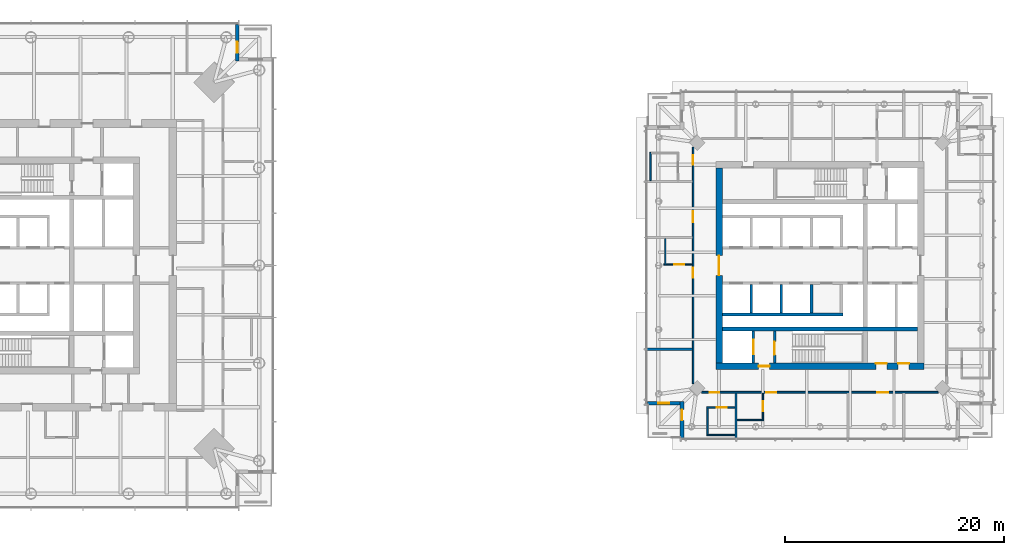
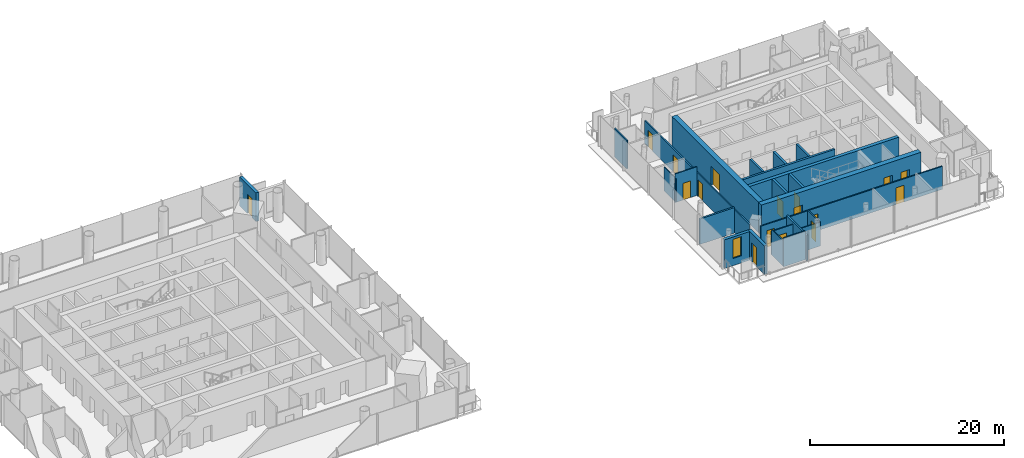
# One storey, part 12 of 19: 24 walls, 17 doors, 1 window, 18 openings.
"""IFC4 building model written with IfcOpenShell, lengths in metres."""

from ifc_helpers import new_model, si_unit, direction, frame, frame_2d, origin, place, context, subcontext, project, spatial, rectangle, extrude, material, layer, layer_set, type_object, element, fill, save


model = new_model("IFC4")

# Units and contexts
model_context = context("Model", 3, precision=1e-05, world=origin(), true_north=direction((0.0, 1.0)))
body_context = subcontext(model_context, "Body", "Model", "MODEL_VIEW")
ifc_project = project(units=[si_unit("LENGTHUNIT", "METRE"), si_unit("AREAUNIT", "SQUARE_METRE"), si_unit("VOLUMEUNIT", "CUBIC_METRE"), si_unit("PLANEANGLEUNIT", "RADIAN"), si_unit("MASSUNIT", "GRAM", prefix="KILO")], contexts=[model_context])

# Site, building, storey
site_placement = place(None, origin())
site = spatial("IfcSite", under=ifc_project, at=site_placement, CompositionType="ELEMENT")
building_placement = place(site_placement, origin())
building = spatial("IfcBuilding", under=site, at=building_placement, Name="Ostroluk Exchange", CompositionType="ELEMENT")
storey_placement = place(building_placement, frame((0.0, 0.0, 119.800048828125)))
storey = spatial("IfcBuildingStorey", under=building, at=storey_placement, Name="L30", CompositionType="ELEMENT", Elevation=119.800048828125)

# Wall
ifc_material_1 = material(Name="Concrete C50/60", Category="concrete")
ifc_layer_1 = layer(ifc_material_1, 0.39990234375)
ifc_layer_set_1 = layer_set([ifc_layer_1], Name="Core cross wall 400 C50/60")
wall_type_1 = type_object("IfcWallType", Name="Core cross wall 400 C50/60", PredefinedType="SHEAR", material=ifc_layer_set_1)
wall_1_placement = place(storey_placement, frame((108.10009765625, 40.199951171875, 0.0), z_axis=(0.0, 0.0, 1.0), x_axis=(1.0, 0.0, 0.0)))
element("IfcWall", 1, at=wall_1_placement, inside=storey, type_object=wall_type_1, Name="T2 core wall XS", PredefinedType="SHEAR", context=body_context, shape_type="SweptSolid", body=[
    extrude(rectangle(XDim=17.7998046875, YDim=0.39990234375, at=frame_2d((8.89990234375, 0.0))), origin(), (0.0, 0.0, 1.0), 3.800048828125),
])

# Wall, opening, door
ifc_material_2 = material(Name="Concrete C40/50", Category="concrete")
ifc_layer_2 = layer(ifc_material_2, 0.25)
ifc_layer_set_2 = layer_set([ifc_layer_2], Name="Core shaft wall 250")
wall_type_2 = type_object("IfcWallType", Name="Core shaft wall 250", PredefinedType="SHEAR", material=ifc_layer_set_2)
wall_2_placement = place(storey_placement, frame((110.925048828125, 37.10009765625, 0.0), z_axis=(0.0, 0.0, 1.0), x_axis=(0.0, 1.0, 0.0)))
wall_2 = element("IfcWall", 2, at=wall_2_placement, inside=storey, type_object=wall_type_2, Name="Firefighting lift shaft wall", PredefinedType="SHEAR", context=body_context, shape_type="SweptSolid", body=[
    extrude(rectangle(XDim=2.89990234375, YDim=0.25, at=frame_2d((1.449951171875, 0.0))), origin(), (0.0, 0.0, 1.0), 3.800048828125),
])
opening_1_placement = place(wall_2_placement, frame((0.800048828125, 0.0, 0.0)))
opening_1 = element("IfcOpeningElement", 3, at=opening_1_placement, cuts=wall_2, Name="Opening LD2", PredefinedType="OPENING", context=body_context, shape_type="SweptSolid", body=[
    extrude(rectangle(XDim=1.300048828125, YDim=2.199951171875, at=frame_2d((0.64990234375, 1.10009765625))), frame((0.0, 0.135009765625, 0.0), z_axis=(0.0, -1.0, 0.0), x_axis=(1.0, 0.0, 0.0)), (0.0, 0.0, 1.0), 0.27001953125),
])
ifc_material_3 = material(Name="Stainless steel", Category="steel")
door_type_1 = type_object("IfcDoorType", Name="Lift landing door E 60 1300 x 2200", OperationType="DOUBLE_DOOR_SLIDING", PredefinedType="DOOR", material=ifc_material_3)
door_1_placement = place(opening_1_placement, origin())
door_1 = element("IfcDoor", 4, at=door_1_placement, inside=storey, type_object=door_type_1, Name="Lift HF1 landing door", OperationType="DOUBLE_DOOR_SLIDING", OverallHeight=2.199951171875, OverallWidth=1.300048828125, PredefinedType="DOOR", context=body_context, shape_type="SweptSolid", body=[
    extrude(rectangle(XDim=1.300048828125, YDim=2.199951171875, at=frame_2d((0.64990234375, 1.10009765625))), frame((0.0, 0.02490234375, 0.0), z_axis=(0.0, -1.0, 0.0), x_axis=(1.0, 0.0, 0.0)), (0.0, 0.0, 1.0), 0.050048828125),
])
fill(opening_1, door_1)

wall_3_placement = place(storey_placement, frame((112.875, 37.10009765625, 0.0), z_axis=(0.0, 0.0, 1.0), x_axis=(0.0, 1.0, 0.0)))
wall_3 = element("IfcWall", 5, at=wall_3_placement, inside=storey, type_object=wall_type_2, Name="Stair shaft wall", PredefinedType="SHEAR", context=body_context, shape_type="SweptSolid", body=[
    extrude(rectangle(XDim=2.89990234375, YDim=0.25, at=frame_2d((1.449951171875, 0.0))), origin(), (0.0, 0.0, 1.0), 3.800048828125),
])
opening_2_placement = place(wall_3_placement, frame((0.75, 0.0, 0.0)))
opening_2 = element("IfcOpeningElement", 6, at=opening_2_placement, cuts=wall_3, Name="Opening FD60S", PredefinedType="OPENING", context=body_context, shape_type="SweptSolid", body=[
    extrude(rectangle(XDim=1.199951171875, YDim=2.10009765625, at=frame_2d((0.60009765625, 1.050048828125))), frame((0.0, 0.135009765625, 0.0), z_axis=(0.0, -1.0, 0.0), x_axis=(1.0, 0.0, 0.0)), (0.0, 0.0, 1.0), 0.27001953125),
])
ifc_material_4 = material(Name="Steel", Category="steel")
door_type_2 = type_object("IfcDoorType", Name="Stair door EI 60 1200 x 2100", OperationType="SINGLE_SWING_LEFT", PredefinedType="DOOR", material=ifc_material_4)
door_2_placement = place(opening_2_placement, origin())
door_2 = element("IfcDoor", 7, at=door_2_placement, inside=storey, type_object=door_type_2, Name="Stair T2-S1 door", OperationType="SINGLE_SWING_LEFT", OverallHeight=2.10009765625, OverallWidth=1.199951171875, PredefinedType="DOOR", context=body_context, shape_type="SweptSolid", body=[
    extrude(rectangle(XDim=1.199951171875, YDim=2.10009765625, at=frame_2d((0.60009765625, 1.050048828125))), frame((0.0, 0.02490234375, 0.0), z_axis=(0.0, -1.0, 0.0), x_axis=(1.0, 0.0, 0.0)), (0.0, 0.0, 1.0), 0.050048828125),
])
fill(opening_2, door_2)

# Walls
for number, where, z_axis, x_axis, name in (
    (8, (110.72509765625, 44.25, 0.0), (0.0, 0.0, 1.0), (0.0, -1.0, 0.0), "Lift shaft wall"),
    (9, (113.47509765625, 44.25, 0.0), (0.0, 0.0, 1.0), (0.0, -1.0, 0.0), "Lift shaft wall"),
    (10, (116.22509765625, 44.25, 0.0), (0.0, 0.0, 1.0), (0.0, -1.0, 0.0), "Lift shaft wall"),
):
    element("IfcWall", number, at=place(storey_placement, frame(where, z_axis=z_axis, x_axis=x_axis)), inside=storey, type_object=wall_type_2, Name=name, PredefinedType="SHEAR", context=body_context, shape_type="SweptSolid", body=[
        extrude(rectangle(XDim=2.60009765625, YDim=0.25, at=frame_2d((1.300048828125, 0.0))), origin(), (0.0, 0.0, 1.0), 3.800048828125),
    ])
wall_4_placement = place(storey_placement, frame((108.10009765625, 41.52490234375, 0.0), z_axis=(0.0, 0.0, 1.0), x_axis=(1.0, 0.0, 0.0)))
element("IfcWall", 11, at=wall_4_placement, inside=storey, type_object=wall_type_2, Name="Lift shaft wall", PredefinedType="SHEAR", context=body_context, shape_type="SweptSolid", body=[
    extrude(rectangle(XDim=11.0, YDim=0.25, at=frame_2d((5.5, 0.0))), origin(), (0.0, 0.0, 1.0), 3.800048828125),
])

# Wall, openings, doors
ifc_material_5 = material(Name="Concrete C50/60", Category="concrete")
ifc_layer_3 = layer(ifc_material_5, 0.60009765625)
ifc_layer_set_3 = layer_set([ifc_layer_3], Name="Core wall 600 C50/60")
wall_type_3 = type_object("IfcWallType", Name="Core wall 600 C50/60", PredefinedType="SHEAR", material=ifc_layer_set_3)
wall_5_placement = place(storey_placement, frame((107.5, 36.800048828125, 0.0), z_axis=(0.0, 0.0, 1.0), x_axis=(1.0, 0.0, 0.0)))
wall_5 = element("IfcWall", 12, at=wall_5_placement, inside=storey, type_object=wall_type_3, Name="T2 core wall S", PredefinedType="SHEAR", context=body_context, shape_type="SweptSolid", body=[
    extrude(rectangle(XDim=19.0, YDim=0.60009765625, at=frame_2d((9.5, 0.0))), origin(), (0.0, 0.0, 1.0), 3.800048828125),
])
opening_3_placement = place(wall_5_placement, frame((3.89990234375, 0.0, 0.0)))
opening_3 = element("IfcOpeningElement", 13, at=opening_3_placement, cuts=wall_5, Name="Opening FD60", PredefinedType="OPENING", context=body_context, shape_type="SweptSolid", body=[
    extrude(rectangle(XDim=1.0, YDim=2.10009765625, at=frame_2d((0.5, 1.050048828125))), frame((0.0, 0.31005859375, 0.0), z_axis=(0.0, -1.0, 0.0), x_axis=(1.0, 0.0, 0.0)), (0.0, 0.0, 1.0), 0.6201171875),
])
opening_4_placement = place(wall_5_placement, frame((14.609619140625, 0.0, 0.0)))
opening_4 = element("IfcOpeningElement", 14, at=opening_4_placement, cuts=wall_5, Name="Opening FD60", PredefinedType="OPENING", context=body_context, shape_type="SweptSolid", body=[
    extrude(rectangle(XDim=1.0, YDim=2.10009765625, at=frame_2d((0.5, 1.050048828125))), frame((0.0, 0.31005859375, 0.0), z_axis=(0.0, -1.0, 0.0), x_axis=(1.0, 0.0, 0.0)), (0.0, 0.0, 1.0), 0.6201171875),
])
opening_5_placement = place(wall_5_placement, frame((16.63916015625, 0.0, 0.0)))
opening_5 = element("IfcOpeningElement", 15, at=opening_5_placement, cuts=wall_5, Name="Opening FD60", PredefinedType="OPENING", context=body_context, shape_type="SweptSolid", body=[
    extrude(rectangle(XDim=1.0, YDim=2.10009765625, at=frame_2d((0.5, 1.050048828125))), frame((0.0, 0.31005859375, 0.0), z_axis=(0.0, -1.0, 0.0), x_axis=(1.0, 0.0, 0.0)), (0.0, 0.0, 1.0), 0.6201171875),
])
ifc_material_6 = material(Name="Steel", Category="steel")
door_type_3 = type_object("IfcDoorType", Name="Fire door EI 60 1000 x 2100", OperationType="SINGLE_SWING_LEFT", PredefinedType="DOOR", material=ifc_material_6)
door_3_placement = place(opening_3_placement, origin())
door_3 = element("IfcDoor", 16, at=door_3_placement, inside=storey, type_object=door_type_3, Name="Firefighting lobby door", OperationType="SINGLE_SWING_LEFT", OverallHeight=2.10009765625, OverallWidth=1.0, PredefinedType="DOOR", context=body_context, shape_type="SweptSolid", body=[
    extrude(rectangle(XDim=1.0, YDim=2.10009765625, at=frame_2d((0.5, 1.050048828125))), frame((0.0, 0.02490234375, 0.0), z_axis=(0.0, -1.0, 0.0), x_axis=(1.0, 0.0, 0.0)), (0.0, 0.0, 1.0), 0.050048828125),
])
fill(opening_3, door_3)
door_4_placement = place(opening_4_placement, origin())
door_4 = element("IfcDoor", 17, at=door_4_placement, inside=storey, type_object=door_type_3, Name="Guest pantry door", OperationType="SINGLE_SWING_RIGHT", OverallHeight=2.10009765625, OverallWidth=1.0, PredefinedType="DOOR", context=body_context, shape_type="SweptSolid", body=[
    extrude(rectangle(XDim=1.0, YDim=2.10009765625, at=frame_2d((0.5, 1.050048828125))), frame((0.0, 0.2900390625, 0.0), z_axis=(0.0, -1.0, 0.0), x_axis=(1.0, 0.0, 0.0)), (0.0, 0.0, 1.0), 0.050048828125),
])
fill(opening_4, door_4)
door_5_placement = place(opening_5_placement, origin())
door_5 = element("IfcDoor", 18, at=door_5_placement, inside=storey, type_object=door_type_3, Name="Luggage store door", OperationType="SINGLE_SWING_RIGHT", OverallHeight=2.10009765625, OverallWidth=1.0, PredefinedType="DOOR", context=body_context, shape_type="SweptSolid", body=[
    extrude(rectangle(XDim=1.0, YDim=2.10009765625, at=frame_2d((0.5, 1.050048828125))), frame((0.0, 0.2900390625, 0.0), z_axis=(0.0, -1.0, 0.0), x_axis=(1.0, 0.0, 0.0)), (0.0, 0.0, 1.0), 0.050048828125),
])
fill(opening_5, door_5)

# Wall, opening, door
wall_6_placement = place(storey_placement, frame((107.800048828125, 37.10009765625, 0.0), z_axis=(0.0, 0.0, 1.0), x_axis=(0.0, 1.0, 0.0)))
wall_6 = element("IfcWall", 19, at=wall_6_placement, inside=storey, type_object=wall_type_3, Name="T2 core wall W", PredefinedType="SHEAR", context=body_context, shape_type="SweptSolid", body=[
    extrude(rectangle(XDim=17.7998046875, YDim=0.60009765625, at=frame_2d((8.89990234375, 0.0))), origin(), (0.0, 0.0, 1.0), 3.800048828125),
])
opening_6_placement = place(wall_6_placement, frame((8.0, 0.0, 0.0)))
opening_6 = element("IfcOpeningElement", 20, at=opening_6_placement, cuts=wall_6, Name="Opening FD30D", PredefinedType="OPENING", context=body_context, shape_type="SweptSolid", body=[
    extrude(rectangle(XDim=1.800048828125, YDim=2.39990234375, at=frame_2d((0.89990234375, 1.199951171875))), frame((0.0, 0.31005859375, 0.0), z_axis=(0.0, -1.0, 0.0), x_axis=(1.0, 0.0, 0.0)), (0.0, 0.0, 1.0), 0.6201171875),
])
ifc_material_7 = material(Name="Timber", Category="wood")
door_type_4 = type_object("IfcDoorType", Name="Lobby double door EI 30 1800 x 2400", OperationType="DOUBLE_DOOR_SINGLE_SWING", PredefinedType="DOOR", material=ifc_material_7)
door_6_placement = place(opening_6_placement, origin())
door_6 = element("IfcDoor", 21, at=door_6_placement, inside=storey, type_object=door_type_4, Name="Lift lobby doors", OperationType="DOUBLE_DOOR_SINGLE_SWING", OverallHeight=2.39990234375, OverallWidth=1.800048828125, PredefinedType="DOOR", context=body_context, shape_type="SweptSolid", body=[
    extrude(rectangle(XDim=1.800048828125, YDim=2.39990234375, at=frame_2d((0.89990234375, 1.199951171875))), frame((0.0, 0.02490234375, 0.0), z_axis=(0.0, -1.0, 0.0), x_axis=(1.0, 0.0, 0.0)), (0.0, 0.0, 1.0), 0.050048828125),
])
fill(opening_6, door_6)

ifc_material_8 = material(Name="Limestone", Category="masonry")
ifc_layer_4 = layer(ifc_material_8, 0.35009765625)
ifc_layer_set_4 = layer_set([ifc_layer_4], Name="Limestone facade wall 350")
wall_type_4 = type_object("IfcWallType", Name="Limestone facade wall 350", PredefinedType="SOLIDWALL", material=ifc_layer_set_4)
wall_7_placement = place(storey_placement, frame((63.824951171875, 68.0, 0.0), z_axis=(0.0, 0.0, 1.0), x_axis=(0.0, -1.0, 0.0)))
wall_7 = element("IfcWall", 22, at=wall_7_placement, inside=storey, type_object=wall_type_4, Name="Office tower NE corner wall L30 a", PredefinedType="SOLIDWALL", context=body_context, shape_type="SweptSolid", body=[
    extrude(rectangle(XDim=3.35009765625, YDim=0.35009765625, at=frame_2d((1.675048828125, 0.0))), origin(), (0.0, 0.0, 1.0), 3.619873046875),
])
opening_7_placement = place(wall_7_placement, frame((1.60009765625, 0.0, 0.0)))
opening_7 = element("IfcOpeningElement", 23, at=opening_7_placement, cuts=wall_7, Name="Opening D-B1", PredefinedType="OPENING", context=body_context, shape_type="SweptSolid", body=[
    extrude(rectangle(XDim=1.0, YDim=2.39990234375, at=frame_2d((0.5, 1.199951171875))), frame((0.0, 0.18505859375, 0.0), z_axis=(0.0, -1.0, 0.0), x_axis=(1.0, 0.0, 0.0)), (0.0, 0.0, 1.0), 0.3701171875),
])
ifc_material_9 = material(Name="Bronze framed glazed door", Category="aluminium")
door_type_5 = type_object("IfcDoorType", Name="Balcony door 1000 x 2400", OperationType="SINGLE_SWING_LEFT", PredefinedType="DOOR", material=ifc_material_9)
door_7_placement = place(opening_7_placement, origin())
door_7 = element("IfcDoor", 24, at=door_7_placement, inside=storey, type_object=door_type_5, Name="Office tower NE balcony door L30", OperationType="SINGLE_SWING_RIGHT", OverallHeight=2.39990234375, OverallWidth=1.0, PredefinedType="DOOR", context=body_context, shape_type="SweptSolid", body=[
    extrude(rectangle(XDim=1.0, YDim=2.39990234375, at=frame_2d((0.5, 1.199951171875))), frame((0.0, 0.02490234375, 0.0), z_axis=(0.0, -1.0, 0.0), x_axis=(1.0, 0.0, 0.0)), (0.0, 0.0, 1.0), 0.050048828125),
])
fill(opening_7, door_7)

wall_8_placement = place(storey_placement, frame((104.425048828125, 30.25, 0.0), z_axis=(0.0, 0.0, 1.0), x_axis=(0.0, 1.0, 0.0)))
wall_8 = element("IfcWall", 25, at=wall_8_placement, inside=storey, type_object=wall_type_4, Name="Hotel tower SW corner wall L30 a", PredefinedType="SOLIDWALL", context=body_context, shape_type="SweptSolid", body=[
    extrude(rectangle(XDim=3.35009765625, YDim=0.35009765625, at=frame_2d((1.675048828125, 0.0))), origin(), (0.0, 0.0, 1.0), 3.599853515625),
])
opening_8_placement = place(wall_8_placement, frame((1.60009765625, 0.0, 0.0)))
opening_8 = element("IfcOpeningElement", 26, at=opening_8_placement, cuts=wall_8, Name="Opening D-B1", PredefinedType="OPENING", context=body_context, shape_type="SweptSolid", body=[
    extrude(rectangle(XDim=1.0, YDim=2.39990234375, at=frame_2d((0.5, 1.199951171875))), frame((0.0, 0.18505859375, 0.0), z_axis=(0.0, -1.0, 0.0), x_axis=(1.0, 0.0, 0.0)), (0.0, 0.0, 1.0), 0.3701171875),
])
door_8_placement = place(opening_8_placement, origin())
door_8 = element("IfcDoor", 27, at=door_8_placement, inside=storey, type_object=door_type_5, Name="Hotel tower SW balcony door L30", OperationType="SINGLE_SWING_RIGHT", OverallHeight=2.39990234375, OverallWidth=1.0, PredefinedType="DOOR", context=body_context, shape_type="SweptSolid", body=[
    extrude(rectangle(XDim=1.0, YDim=2.39990234375, at=frame_2d((0.5, 1.199951171875))), frame((0.0, 0.02490234375, 0.0), z_axis=(0.0, -1.0, 0.0), x_axis=(1.0, 0.0, 0.0)), (0.0, 0.0, 1.0), 0.050048828125),
])
fill(opening_8, door_8)

# Wall, opening, window
wall_9_placement = place(storey_placement, frame((104.25, 33.425048828125, 0.0), z_axis=(0.0, 0.0, 1.0), x_axis=(-1.0, 0.0, 0.0)))
wall_9 = element("IfcWall", 28, at=wall_9_placement, inside=storey, type_object=wall_type_4, Name="Hotel tower SW corner wall L30 b", PredefinedType="SOLIDWALL", context=body_context, shape_type="SweptSolid", body=[
    extrude(rectangle(XDim=3.0, YDim=0.35009765625, at=frame_2d((1.5, 0.0))), origin(), (0.0, 0.0, 1.0), 3.599853515625),
])
opening_9_placement = place(wall_9_placement, frame((1.0, 0.0, 0.89990234375)))
opening_9 = element("IfcOpeningElement", 29, at=opening_9_placement, cuts=wall_9, Name="Opening WN-L3", PredefinedType="OPENING", context=body_context, shape_type="SweptSolid", body=[
    extrude(rectangle(XDim=1.0, YDim=2.39990234375, at=frame_2d((0.5, 1.199951171875))), frame((0.0, 0.18505859375, 0.0), z_axis=(0.0, -1.0, 0.0), x_axis=(1.0, 0.0, 0.0)), (0.0, 0.0, 1.0), 0.3701171875),
])
ifc_material_10 = material(Name="Laminated clear glass", Category="glass")
window_type = type_object("IfcWindowType", Name="Hotel lancet window 1000 x 2400", PartitioningType="SINGLE_PANEL", PredefinedType="WINDOW", material=ifc_material_10)
window_placement = place(opening_9_placement, origin())
window = element("IfcWindow", 30, at=window_placement, inside=storey, type_object=window_type, Name="Hotel tower SW lancet window L30", OverallHeight=2.39990234375, OverallWidth=1.0, PartitioningType="SINGLE_PANEL", PredefinedType="WINDOW", context=body_context, shape_type="SweptSolid", body=[
    extrude(rectangle(XDim=1.0, YDim=2.39990234375, at=frame_2d((0.5, 1.199951171875))), frame((0.0, 0.030029296875, 0.0), z_axis=(0.0, -1.0, 0.0), x_axis=(1.0, 0.0, 0.0)), (0.0, 0.0, 1.0), 0.06005859375),
])
fill(opening_9, window)

# Walls
ifc_material_11 = material(Name="Gypsum plasterboard partition, moisture resistant", Category="gypsum")
ifc_layer_5 = layer(ifc_material_11, 0.1201171875)
ifc_layer_set_5 = layer_set([ifc_layer_5], Name="Plasterboard en-suite wall 120")
wall_type_5 = type_object("IfcWallType", Name="Plasterboard en-suite wall 120", PredefinedType="PARTITIONING", material=ifc_layer_set_5)
wall_10_placement = place(storey_placement, frame((101.530029296875, 53.75, 0.0), z_axis=(0.0, 0.0, 1.0), x_axis=(0.0, 1.0, 0.0)))
element("IfcWall", 31, at=wall_10_placement, inside=storey, type_object=wall_type_5, Name="En-suite wall", PredefinedType="PARTITIONING", context=body_context, shape_type="SweptSolid", body=[
    extrude(rectangle(XDim=2.580078125, YDim=0.1201171875, at=frame_2d((1.2900390625, 0.0))), origin(), (0.0, 0.0, 1.0), 3.599853515625),
])
wall_11_placement = place(storey_placement, frame((102.889892578125, 48.449951171875, 0.0), z_axis=(0.0, 0.0, 1.0), x_axis=(0.0, -1.0, 0.0)))
element("IfcWall", 32, at=wall_11_placement, inside=storey, type_object=wall_type_5, Name="En-suite wall", PredefinedType="PARTITIONING", context=body_context, shape_type="SweptSolid", body=[
    extrude(rectangle(XDim=2.419921875, YDim=0.1201171875, at=frame_2d((1.2099609375, 0.0))), origin(), (0.0, 0.0, 1.0), 3.0),
])

# Wall, opening, door
wall_12_placement = place(storey_placement, frame((105.35009765625, 46.090087890625, 0.0), z_axis=(0.0, 0.0, 1.0), x_axis=(-1.0, 0.0, 0.0)))
wall_12 = element("IfcWall", 33, at=wall_12_placement, inside=storey, type_object=wall_type_5, Name="En-suite wall", PredefinedType="PARTITIONING", context=body_context, shape_type="SweptSolid", body=[
    extrude(rectangle(XDim=2.60009765625, YDim=0.1201171875, at=frame_2d((1.300048828125, 0.0))), origin(), (0.0, 0.0, 1.0), 3.599853515625),
])
opening_10_placement = place(wall_12_placement, frame((0.75, 0.0, 0.0)))
opening_10 = element("IfcOpeningElement", 34, at=opening_10_placement, cuts=wall_12, Name="Opening D-02", PredefinedType="OPENING", context=body_context, shape_type="SweptSolid", body=[
    extrude(rectangle(XDim=0.89990234375, YDim=2.10009765625, at=frame_2d((0.449951171875, 1.050048828125))), frame((0.0, 0.070068359375, 0.0), z_axis=(0.0, -1.0, 0.0), x_axis=(1.0, 0.0, 0.0)), (0.0, 0.0, 1.0), 0.14013671875),
])
ifc_material_12 = material(Name="Timber", Category="wood")
door_type_6 = type_object("IfcDoorType", Name="En-suite door 900 x 2100", OperationType="SINGLE_SWING_LEFT", PredefinedType="DOOR", material=ifc_material_12)
door_9_placement = place(opening_10_placement, origin())
door_9 = element("IfcDoor", 35, at=door_9_placement, inside=storey, type_object=door_type_6, Name="En-suite door 3004", OperationType="SINGLE_SWING_LEFT", OverallHeight=2.10009765625, OverallWidth=0.89990234375, PredefinedType="DOOR", context=body_context, shape_type="SweptSolid", body=[
    extrude(rectangle(XDim=0.89990234375, YDim=2.10009765625, at=frame_2d((0.449951171875, 1.050048828125))), frame((0.0, 0.02490234375, 0.0), z_axis=(0.0, -1.0, 0.0), x_axis=(1.0, 0.0, 0.0)), (0.0, 0.0, 1.0), 0.050048828125),
])
fill(opening_10, door_9)

wall_13_placement = place(storey_placement, frame((109.25, 33.050048828125, 0.0), z_axis=(0.0, 0.0, 1.0), x_axis=(-1.0, 0.0, 0.0)))
wall_13 = element("IfcWall", 36, at=wall_13_placement, inside=storey, type_object=wall_type_5, Name="En-suite wall", PredefinedType="PARTITIONING", context=body_context, shape_type="SweptSolid", body=[
    extrude(rectangle(XDim=2.580078125, YDim=0.1201171875, at=frame_2d((1.2900390625, 0.0))), origin(), (0.0, 0.0, 1.0), 2.89990234375),
])
opening_11_placement = place(wall_13_placement, frame((0.75, 0.0, 0.0)))
opening_11 = element("IfcOpeningElement", 37, at=opening_11_placement, cuts=wall_13, Name="Opening D-02", PredefinedType="OPENING", context=body_context, shape_type="SweptSolid", body=[
    extrude(rectangle(XDim=0.89990234375, YDim=2.10009765625, at=frame_2d((0.449951171875, 1.050048828125))), frame((0.0, 0.070068359375, 0.0), z_axis=(0.0, -1.0, 0.0), x_axis=(1.0, 0.0, 0.0)), (0.0, 0.0, 1.0), 0.14013671875),
])
door_10_placement = place(opening_11_placement, origin())
door_10 = element("IfcDoor", 38, at=door_10_placement, inside=storey, type_object=door_type_6, Name="En-suite door 3005", OperationType="SINGLE_SWING_LEFT", OverallHeight=2.10009765625, OverallWidth=0.89990234375, PredefinedType="DOOR", context=body_context, shape_type="SweptSolid", body=[
    extrude(rectangle(XDim=0.89990234375, YDim=2.10009765625, at=frame_2d((0.449951171875, 1.050048828125))), frame((0.0, 0.02490234375, 0.0), z_axis=(0.0, -1.0, 0.0), x_axis=(1.0, 0.0, 0.0)), (0.0, 0.0, 1.0), 0.050048828125),
])
fill(opening_11, door_10)

# Walls
wall_14_placement = place(storey_placement, frame((109.25, 30.530029296875, 0.0), z_axis=(0.0, 0.0, 1.0), x_axis=(-1.0, 0.0, 0.0)))
element("IfcWall", 39, at=wall_14_placement, inside=storey, type_object=wall_type_5, Name="En-suite wall", PredefinedType="PARTITIONING", context=body_context, shape_type="SweptSolid", body=[
    extrude(rectangle(XDim=2.580078125, YDim=0.1201171875, at=frame_2d((1.2900390625, 0.0))), origin(), (0.0, 0.0, 1.0), 3.599853515625),
])
wall_15_placement = place(storey_placement, frame((106.72998046875, 32.989990234375, 0.0), z_axis=(0.0, 0.0, 1.0), x_axis=(0.0, -1.0, 0.0)))
element("IfcWall", 40, at=wall_15_placement, inside=storey, type_object=wall_type_5, Name="En-suite wall", PredefinedType="PARTITIONING", context=body_context, shape_type="SweptSolid", body=[
    extrude(rectangle(XDim=2.39990234375, YDim=0.1201171875, at=frame_2d((1.199951171875, 0.0))), origin(), (0.0, 0.0, 1.0), 3.199951171875),
])
wall_16_placement = place(storey_placement, frame((109.449951171875, 31.889892578125, 0.0), z_axis=(0.0, 0.0, 1.0), x_axis=(1.0, 0.0, 0.0)))
element("IfcWall", 41, at=wall_16_placement, inside=storey, type_object=wall_type_5, Name="En-suite wall", PredefinedType="PARTITIONING", context=body_context, shape_type="SweptSolid", body=[
    extrude(rectangle(XDim=2.420166015625, YDim=0.1201171875, at=frame_2d((1.2099609375, 0.0))), origin(), (0.0, 0.0, 1.0), 3.0),
])

# Wall, opening, door
wall_17_placement = place(storey_placement, frame((111.81005859375, 34.35009765625, 0.0), z_axis=(0.0, 0.0, 1.0), x_axis=(0.0, -1.0, 0.0)))
wall_17 = element("IfcWall", 42, at=wall_17_placement, inside=storey, type_object=wall_type_5, Name="En-suite wall", PredefinedType="PARTITIONING", context=body_context, shape_type="SweptSolid", body=[
    extrude(rectangle(XDim=2.400146484375, YDim=0.1201171875, at=frame_2d((1.2001953125, 0.0))), origin(), (0.0, 0.0, 1.0), 3.0),
])
opening_12_placement = place(wall_17_placement, frame((0.75, 0.0, 0.0)))
opening_12 = element("IfcOpeningElement", 43, at=opening_12_placement, cuts=wall_17, Name="Opening D-02", PredefinedType="OPENING", context=body_context, shape_type="SweptSolid", body=[
    extrude(rectangle(XDim=0.89990234375, YDim=2.10009765625, at=frame_2d((0.449951171875, 1.050048828125))), frame((0.0, 0.070068359375, 0.0), z_axis=(0.0, -1.0, 0.0), x_axis=(1.0, 0.0, 0.0)), (0.0, 0.0, 1.0), 0.14013671875),
])
door_11_placement = place(opening_12_placement, origin())
door_11 = element("IfcDoor", 44, at=door_11_placement, inside=storey, type_object=door_type_6, Name="En-suite door 3006", OperationType="SINGLE_SWING_LEFT", OverallHeight=2.10009765625, OverallWidth=0.89990234375, PredefinedType="DOOR", context=body_context, shape_type="SweptSolid", body=[
    extrude(rectangle(XDim=0.89990234375, YDim=2.10009765625, at=frame_2d((0.449951171875, 1.050048828125))), frame((0.0, 0.02490234375, 0.0), z_axis=(0.0, -1.0, 0.0), x_axis=(1.0, 0.0, 0.0)), (0.0, 0.0, 1.0), 0.050048828125),
])
fill(opening_12, door_11)

# Wall, openings, doors
ifc_material_13 = material(Name="Gypsum plasterboard partition", Category="gypsum")
ifc_layer_6 = layer(ifc_material_13, 0.14990234375)
ifc_layer_set_6 = layer_set([ifc_layer_6], Name="Plasterboard partition 150")
wall_type_6 = type_object("IfcWallType", Name="Plasterboard partition 150", PredefinedType="PARTITIONING", material=ifc_layer_set_6)
wall_18_placement = place(storey_placement, frame((105.425048828125, 56.79296875, 0.0), z_axis=(0.0, 0.0, 1.0), x_axis=(0.0, -1.0, 0.0)))
wall_18 = element("IfcWall", 45, at=wall_18_placement, inside=storey, type_object=wall_type_6, Name="Corridor wall", PredefinedType="PARTITIONING", context=body_context, shape_type="SweptSolid", body=[
    extrude(rectangle(XDim=21.5859375, YDim=0.14990234375, at=frame_2d((10.79296875, 0.0))), origin(), (0.0, 0.0, 1.0), 2.89990234375),
])
opening_13_placement = place(wall_18_placement, frame((0.7177734375, 0.0, 0.0)))
opening_13 = element("IfcOpeningElement", 46, at=opening_13_placement, cuts=wall_18, Name="Opening D-01", PredefinedType="OPENING", context=body_context, shape_type="SweptSolid", body=[
    extrude(rectangle(XDim=0.89990234375, YDim=2.10009765625, at=frame_2d((0.449951171875, 1.050048828125))), frame((0.0, 0.0849609375, 0.0), z_axis=(0.0, -1.0, 0.0), x_axis=(1.0, 0.0, 0.0)), (0.0, 0.0, 1.0), 0.169921875),
])
opening_14_placement = place(wall_18_placement, frame((5.8427734375, 0.0, 0.0)))
opening_14 = element("IfcOpeningElement", 47, at=opening_14_placement, cuts=wall_18, Name="Opening D-03", PredefinedType="OPENING", context=body_context, shape_type="SweptSolid", body=[
    extrude(rectangle(XDim=1.0, YDim=2.10009765625, at=frame_2d((0.5, 1.050048828125))), frame((0.0, 0.0849609375, 0.0), z_axis=(0.0, -1.0, 0.0), x_axis=(1.0, 0.0, 0.0)), (0.0, 0.0, 1.0), 0.169921875),
])
opening_15_placement = place(wall_18_placement, frame((10.992919921875, 0.0, 0.0)))
opening_15 = element("IfcOpeningElement", 48, at=opening_15_placement, cuts=wall_18, Name="Opening D-01", PredefinedType="OPENING", context=body_context, shape_type="SweptSolid", body=[
    extrude(rectangle(XDim=0.89990234375, YDim=2.10009765625, at=frame_2d((0.449951171875, 1.050048828125))), frame((0.0, 0.0849609375, 0.0), z_axis=(0.0, -1.0, 0.0), x_axis=(1.0, 0.0, 0.0)), (0.0, 0.0, 1.0), 0.169921875),
])
ifc_material_14 = material(Name="Timber", Category="wood")
door_type_7 = type_object("IfcDoorType", Name="Hotel room door EI 30 Sa 900 x 2100", OperationType="SINGLE_SWING_LEFT", PredefinedType="DOOR", material=ifc_material_14)
door_12_placement = place(opening_13_placement, origin())
door_12 = element("IfcDoor", 49, at=door_12_placement, inside=storey, type_object=door_type_7, Name="Room door 3003", OperationType="SINGLE_SWING_LEFT", OverallHeight=2.10009765625, OverallWidth=0.89990234375, PredefinedType="DOOR", context=body_context, shape_type="SweptSolid", body=[
    extrude(rectangle(XDim=0.89990234375, YDim=2.10009765625, at=frame_2d((0.449951171875, 1.050048828125))), frame((0.0, 0.02490234375, 0.0), z_axis=(0.0, -1.0, 0.0), x_axis=(1.0, 0.0, 0.0)), (0.0, 0.0, 1.0), 0.050048828125),
])
fill(opening_13, door_12)
door_13_placement = place(opening_15_placement, origin())
door_13 = element("IfcDoor", 50, at=door_13_placement, inside=storey, type_object=door_type_7, Name="Room door 3004", OperationType="SINGLE_SWING_RIGHT", OverallHeight=2.10009765625, OverallWidth=0.89990234375, PredefinedType="DOOR", context=body_context, shape_type="SweptSolid", body=[
    extrude(rectangle(XDim=0.89990234375, YDim=2.10009765625, at=frame_2d((0.449951171875, 1.050048828125))), frame((0.0, 0.02490234375, 0.0), z_axis=(0.0, -1.0, 0.0), x_axis=(1.0, 0.0, 0.0)), (0.0, 0.0, 1.0), 0.050048828125),
])
fill(opening_15, door_13)
ifc_material_15 = material(Name="Timber", Category="wood")
door_type_8 = type_object("IfcDoorType", Name="Internal door 1000 x 2100", OperationType="SINGLE_SWING_LEFT", PredefinedType="DOOR", material=ifc_material_15)
door_14_placement = place(opening_14_placement, origin())
door_14 = element("IfcDoor", 51, at=door_14_placement, inside=storey, type_object=door_type_8, Name="Housekeeping store door", OperationType="SINGLE_SWING_LEFT", OverallHeight=2.10009765625, OverallWidth=1.0, PredefinedType="DOOR", context=body_context, shape_type="SweptSolid", body=[
    extrude(rectangle(XDim=1.0, YDim=2.10009765625, at=frame_2d((0.5, 1.050048828125))), frame((0.0, 0.02490234375, 0.0), z_axis=(0.0, -1.0, 0.0), x_axis=(1.0, 0.0, 0.0)), (0.0, 0.0, 1.0), 0.050048828125),
])
fill(opening_14, door_14)

wall_19_placement = place(storey_placement, frame((106.20703125, 34.425048828125, 0.0), z_axis=(0.0, 0.0, 1.0), x_axis=(1.0, 0.0, 0.0)))
wall_19 = element("IfcWall", 52, at=wall_19_placement, inside=storey, type_object=wall_type_6, Name="Corridor wall", PredefinedType="PARTITIONING", context=body_context, shape_type="SweptSolid", body=[
    extrude(rectangle(XDim=21.5859375, YDim=0.14990234375, at=frame_2d((10.79296875, 0.0))), origin(), (0.0, 0.0, 1.0), 2.89990234375),
])
opening_16_placement = place(wall_19_placement, frame((0.7177734375, 0.0, 0.0)))
opening_16 = element("IfcOpeningElement", 53, at=opening_16_placement, cuts=wall_19, Name="Opening D-01", PredefinedType="OPENING", context=body_context, shape_type="SweptSolid", body=[
    extrude(rectangle(XDim=0.89990234375, YDim=2.10009765625, at=frame_2d((0.449951171875, 1.050048828125))), frame((0.0, 0.0849609375, 0.0), z_axis=(0.0, -1.0, 0.0), x_axis=(1.0, 0.0, 0.0)), (0.0, 0.0, 1.0), 0.169921875),
])
opening_17_placement = place(wall_19_placement, frame((5.892822265625, 0.0, 0.0)))
opening_17 = element("IfcOpeningElement", 54, at=opening_17_placement, cuts=wall_19, Name="Opening D-01", PredefinedType="OPENING", context=body_context, shape_type="SweptSolid", body=[
    extrude(rectangle(XDim=0.89990234375, YDim=2.10009765625, at=frame_2d((0.449951171875, 1.050048828125))), frame((0.0, 0.0849609375, 0.0), z_axis=(0.0, -1.0, 0.0), x_axis=(1.0, 0.0, 0.0)), (0.0, 0.0, 1.0), 0.169921875),
])
opening_18_placement = place(wall_19_placement, frame((16.04296875, 0.0, 0.0)))
opening_18 = element("IfcOpeningElement", 55, at=opening_18_placement, cuts=wall_19, Name="Opening D-03", PredefinedType="OPENING", context=body_context, shape_type="SweptSolid", body=[
    extrude(rectangle(XDim=1.0, YDim=2.10009765625, at=frame_2d((0.5, 1.050048828125))), frame((0.0, 0.0849609375, 0.0), z_axis=(0.0, -1.0, 0.0), x_axis=(1.0, 0.0, 0.0)), (0.0, 0.0, 1.0), 0.169921875),
])
door_15_placement = place(opening_16_placement, origin())
door_15 = element("IfcDoor", 56, at=door_15_placement, inside=storey, type_object=door_type_7, Name="Room door 3005", OperationType="SINGLE_SWING_LEFT", OverallHeight=2.10009765625, OverallWidth=0.89990234375, PredefinedType="DOOR", context=body_context, shape_type="SweptSolid", body=[
    extrude(rectangle(XDim=0.89990234375, YDim=2.10009765625, at=frame_2d((0.449951171875, 1.050048828125))), frame((0.0, 0.02490234375, 0.0), z_axis=(0.0, -1.0, 0.0), x_axis=(1.0, 0.0, 0.0)), (0.0, 0.0, 1.0), 0.050048828125),
])
fill(opening_16, door_15)
door_16_placement = place(opening_17_placement, origin())
door_16 = element("IfcDoor", 57, at=door_16_placement, inside=storey, type_object=door_type_7, Name="Room door 3006", OperationType="SINGLE_SWING_LEFT", OverallHeight=2.10009765625, OverallWidth=0.89990234375, PredefinedType="DOOR", context=body_context, shape_type="SweptSolid", body=[
    extrude(rectangle(XDim=0.89990234375, YDim=2.10009765625, at=frame_2d((0.449951171875, 1.050048828125))), frame((0.0, 0.02490234375, 0.0), z_axis=(0.0, -1.0, 0.0), x_axis=(1.0, 0.0, 0.0)), (0.0, 0.0, 1.0), 0.050048828125),
])
fill(opening_17, door_16)
door_17_placement = place(opening_18_placement, origin())
door_17 = element("IfcDoor", 58, at=door_17_placement, inside=storey, type_object=door_type_8, Name="Guest lounge door", OperationType="SINGLE_SWING_RIGHT", OverallHeight=2.10009765625, OverallWidth=1.0, PredefinedType="DOOR", context=body_context, shape_type="SweptSolid", body=[
    extrude(rectangle(XDim=1.0, YDim=2.10009765625, at=frame_2d((0.5, 1.050048828125))), frame((0.0, 0.02490234375, 0.0), z_axis=(0.0, -1.0, 0.0), x_axis=(1.0, 0.0, 0.0)), (0.0, 0.0, 1.0), 0.050048828125),
])
fill(opening_18, door_17)

# Walls
ifc_material_16 = material(Name="Gypsum plasterboard partition", Category="gypsum")
ifc_layer_7 = layer(ifc_material_16, 0.199951171875)
ifc_layer_set_7 = layer_set([ifc_layer_7], Name="Plasterboard party wall 200")
wall_type_7 = type_object("IfcWallType", Name="Plasterboard party wall 200", PredefinedType="PARTITIONING", material=ifc_layer_set_7)
for number, where, z_axis, x_axis, name in (
    (59, (105.35009765625, 38.35009765625, 0.0), (0.0, 0.0, 1.0), (-1.0, 0.0, 0.0), "Party wall"),
    (60, (109.35009765625, 34.35009765625, 0.0), (0.0, 0.0, 1.0), (0.0, -1.0, 0.0), "Party wall"),
):
    element("IfcWall", number, at=place(storey_placement, frame(where, z_axis=z_axis, x_axis=x_axis)), inside=storey, type_object=wall_type_7, Name=name, PredefinedType="PARTITIONING", context=body_context, shape_type="SweptSolid", body=[
        extrude(rectangle(XDim=4.14013671875, YDim=0.199951171875, at=frame_2d((2.070068359375, 0.0))), origin(), (0.0, 0.0, 1.0), 3.199951171875),
    ])

save(model, "model.ifc")
